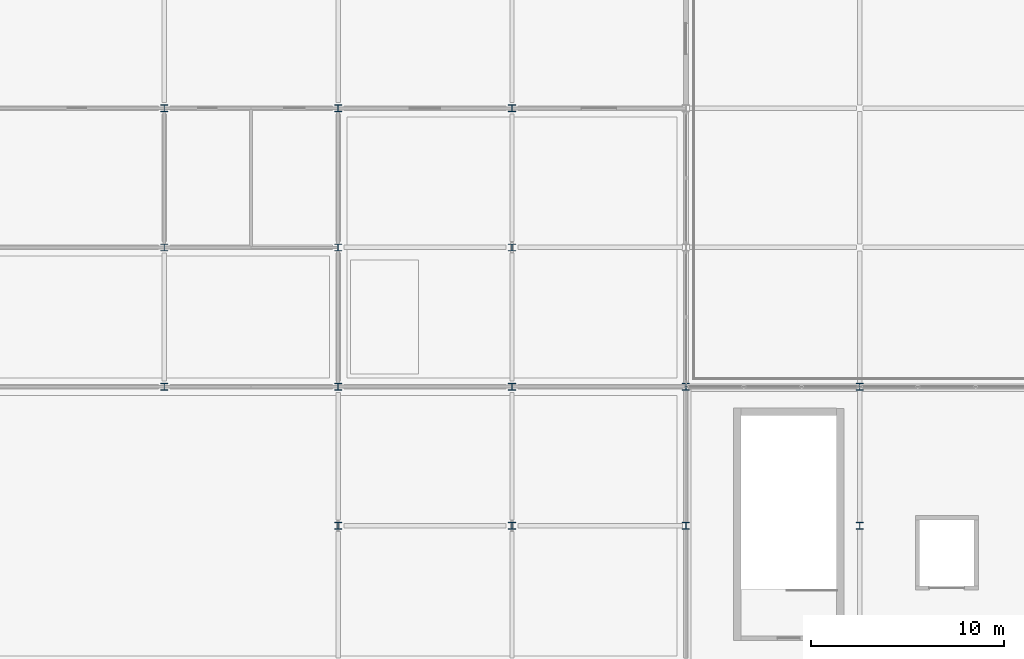
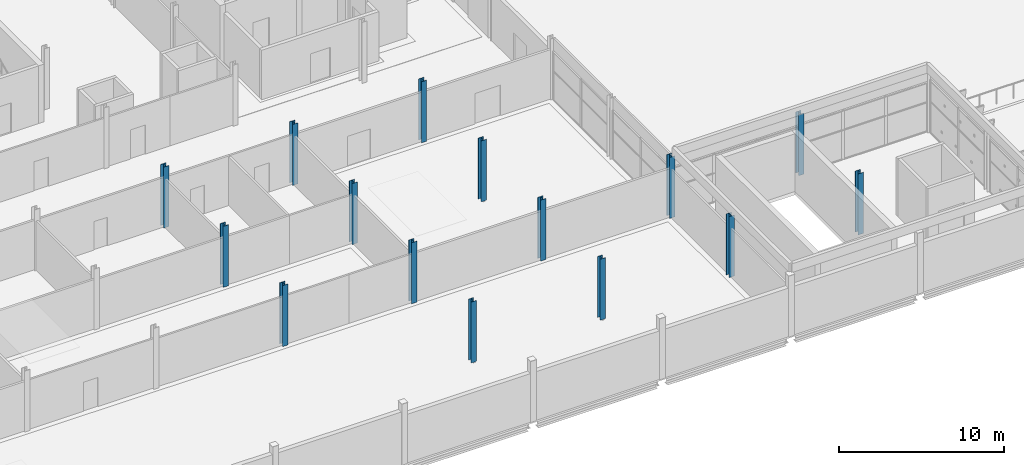
# One storey, part 4 of 78: 15 columns.
"""IFC4 building model written with IfcOpenShell, lengths in metres."""

from ifc_helpers import new_model, si_unit, direction, frame, origin, origin_2d, place, context, subcontext, project, spatial, i_section, extrude, material, material_profile, profile_set, type_object, element, save


model = new_model("IFC4")

# Units and contexts
model_context = context("Model", 3, precision=1e-05, world=origin(), true_north=direction((0.0, 1.0)))
body_context = subcontext(model_context, "Body", "Model", "MODEL_VIEW")
ifc_project = project(units=[si_unit("LENGTHUNIT", "METRE"), si_unit("AREAUNIT", "SQUARE_METRE"), si_unit("VOLUMEUNIT", "CUBIC_METRE"), si_unit("PLANEANGLEUNIT", "RADIAN"), si_unit("MASSUNIT", "GRAM", prefix="KILO")], contexts=[model_context])

# Site, building, storey
site_placement = place(None, origin())
site = spatial("IfcSite", under=ifc_project, at=site_placement, CompositionType="ELEMENT")
building_placement = place(site_placement, origin())
building = spatial("IfcBuilding", under=site, at=building_placement, Name="Celestram Park Convention Centre", CompositionType="ELEMENT")
storey_placement = place(building_placement, frame((0.0, 0.0, 19.800048828125)))
storey = spatial("IfcBuildingStorey", under=building, at=storey_placement, Name="L04", CompositionType="ELEMENT", Elevation=19.800048828125)

# Columns
ifc_material = material(Name="Steel ASTM A992 Grade 50", Category="steel")
ifc_material_profile = material_profile(ifc_material, i_section(OverallWidth=0.367919921875, OverallDepth=0.35595703125, WebThickness=0.01123046875, FlangeThickness=0.01806640625, at=origin_2d()), Name="W14X90")
ifc_profile_set = profile_set([ifc_material_profile], Name="Steel ASTM A992 Grade 50")
column_type = type_object("IfcColumnType", Name="STR-COL-W14X90", PredefinedType="COLUMN", material=ifc_profile_set)
for number, where, z_axis, x_axis, name in (
    (1, (72.0, 122.39990234375, 0.0), (0.0, 0.0, 1.0), (1.0, 0.0, 0.0), "Column CN-L04-036"),
    (2, (72.0, 129.60009765625, 0.0), (0.0, 0.0, 1.0), (1.0, 0.0, 0.0), "Column CN-L04-037"),
    (3, (72.0, 136.800048828125, 0.0), (0.0, 0.0, 1.0), (1.0, 0.0, 0.0), "Column CN-L04-038"),
    (4, (81.0, 115.199951171875, 0.0), (0.0, 0.0, 1.0), (1.0, 0.0, 0.0), "Column CN-L04-044"),
    (5, (81.0, 122.39990234375, 0.0), (0.0, 0.0, 1.0), (1.0, 0.0, 0.0), "Column CN-L04-045"),
    (6, (81.0, 129.60009765625, 0.0), (0.0, 0.0, 1.0), (1.0, 0.0, 0.0), "Column CN-L04-046"),
    (7, (81.0, 136.800048828125, 0.0), (0.0, 0.0, 1.0), (1.0, 0.0, 0.0), "Column CN-L04-047"),
    (8, (90.0, 115.199951171875, 0.0), (0.0, 0.0, 1.0), (1.0, 0.0, 0.0), "Column CN-L04-053"),
    (9, (90.0, 122.39990234375, 0.0), (0.0, 0.0, 1.0), (1.0, 0.0, 0.0), "Column CN-L04-054"),
    (10, (90.0, 129.60009765625, 0.0), (0.0, 0.0, 1.0), (1.0, 0.0, 0.0), "Column CN-L04-055"),
    (11, (90.0, 136.800048828125, 0.0), (0.0, 0.0, 1.0), (1.0, 0.0, 0.0), "Column CN-L04-056"),
    (12, (99.0, 115.199951171875, 0.0), (0.0, 0.0, 1.0), (1.0, 0.0, 0.0), "Column CN-L04-062"),
    (13, (99.0, 122.39990234375, 0.0), (0.0, 0.0, 1.0), (1.0, 0.0, 0.0), "Column CN-L04-063"),
    (14, (108.0, 115.199951171875, 0.0), (0.0, 0.0, 1.0), (1.0, 0.0, 0.0), "Column CN-L04-071"),
    (15, (108.0, 122.39990234375, 0.0), (0.0, 0.0, 1.0), (1.0, 0.0, 0.0), "Column CN-L04-072"),
):
    element("IfcColumn", number, at=place(storey_placement, frame(where, z_axis=z_axis, x_axis=x_axis)), inside=storey, type_object=column_type, Name=name, PredefinedType="COLUMN", context=body_context, shape_type="SweptSolid", body=[
        extrude(i_section(OverallWidth=0.367919921875, OverallDepth=0.35595703125, WebThickness=0.01123046875, FlangeThickness=0.01806640625, at=origin_2d()), origin(), (0.0, 0.0, 1.0), 4.5),
    ])

save(model, "model.ifc")
